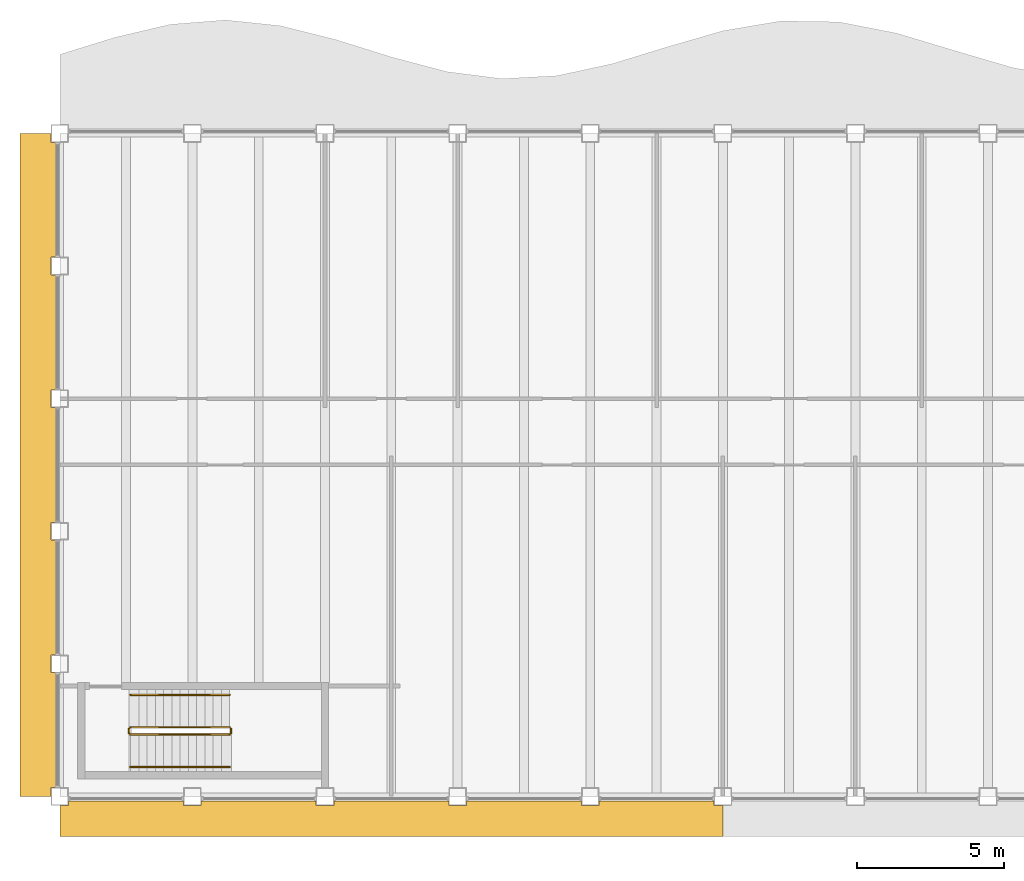
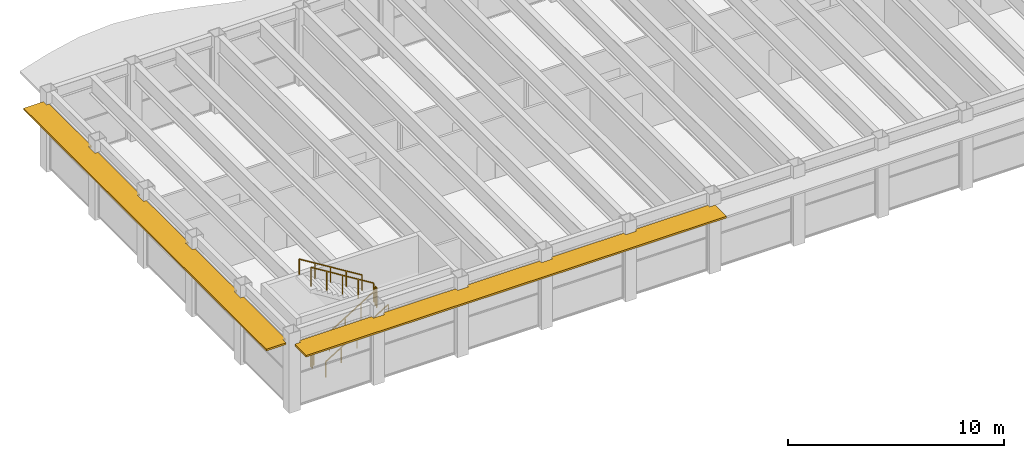
# One storey, part 13 of 15: 6 railings, 2 shading devices.
"""IFC4 building model written with IfcOpenShell, lengths in metres."""

from ifc_helpers import new_model, si_unit, direction, frame, origin, origin_2d, place, context, subcontext, project, spatial, polyline, rectangle, outline, extrude, material, layer, layer_set, type_object, element, save


model = new_model("IFC4")

# Units and contexts
model_context = context("Model", 3, precision=1e-05, world=origin(), true_north=direction((0.0, 1.0)))
body_context = subcontext(model_context, "Body", "Model", "MODEL_VIEW")
ifc_project = project(units=[si_unit("LENGTHUNIT", "METRE"), si_unit("AREAUNIT", "SQUARE_METRE"), si_unit("VOLUMEUNIT", "CUBIC_METRE"), si_unit("PLANEANGLEUNIT", "RADIAN"), si_unit("MASSUNIT", "GRAM", prefix="KILO")], contexts=[model_context])

# Site, building, storey
site_placement = place(None, origin())
site = spatial("IfcSite", under=ifc_project, at=site_placement, CompositionType="ELEMENT")
building_placement = place(site_placement, origin())
building = spatial("IfcBuilding", under=site, at=building_placement, Name="Sennacour Bend Tower", CompositionType="ELEMENT")
storey_placement = place(building_placement, frame((0.0, 0.0, 323.0)))
storey = spatial("IfcBuildingStorey", under=building, at=storey_placement, Name="L74", CompositionType="ELEMENT", Elevation=323.0)

# Railings
ifc_material_1 = material(Name="Stainless steel", Category="steel")
railing_type_1 = type_object("IfcRailingType", Name="RL-GUARD-1100", PredefinedType="GUARDRAIL", material=ifc_material_1)
railing_1_placement = place(storey_placement, frame((2.39990234375, 2.10009765625, 0.173095703125)))
element("IfcRailing", 1, at=railing_1_placement, inside=storey, type_object=railing_type_1, Name="L74 SK1 stair guard 1", PredefinedType="GUARDRAIL", context=body_context, shape_type="SweptSolid", body=[
    extrude(rectangle(XDim=0.048095703125, YDim=0.048095703125, at=origin_2d()), frame((0.0, 0.0, 1.076171875), z_axis=(0.850623216509, 0.0, 0.525775754039), x_axis=(0.0, 1.0, 0.0)), (0.0, 0.0, 1.0), 3.9501953125),
    extrude(rectangle(XDim=0.0419921875, YDim=0.0419921875, at=origin_2d()), origin(), (0.0, 0.0, 1.0), 1.052001953125),
    extrude(rectangle(XDim=0.0419921875, YDim=0.0419921875, at=origin_2d()), frame((0.840087890625, 0.0, 0.519287109375)), (0.0, 0.0, 1.0), 1.052001953125),
    extrude(rectangle(XDim=0.0419921875, YDim=0.0419921875, at=origin_2d()), frame((1.68017578125, 0.0, 1.03857421875)), (0.0, 0.0, 1.0), 1.052001953125),
    extrude(rectangle(XDim=0.0419921875, YDim=0.0419921875, at=origin_2d()), frame((2.52001953125, 0.0, 1.5576171875)), (0.0, 0.0, 1.0), 1.052001953125),
    extrude(rectangle(XDim=0.0419921875, YDim=0.0419921875, at=origin_2d()), frame((3.360107421875, 0.0, 2.076904296875)), (0.0, 0.0, 1.0), 1.052001953125),
])
railing_2_placement = place(storey_placement, frame((5.81005859375, 2.14990234375, 2.25)))
element("IfcRailing", 2, at=railing_2_placement, inside=storey, type_object=railing_type_1, Name="L74 SK1 stair guard 2", PredefinedType="GUARDRAIL", context=body_context, shape_type="SweptSolid", body=[
    extrude(rectangle(XDim=0.048095703125, YDim=0.048095703125, at=origin_2d()), frame((0.0, 0.0, 1.076171875), z_axis=(0.0, 1.0, 0.0), x_axis=(-1.0, 0.0, 0.0)), (0.0, 0.0, 1.0), 0.150146484375),
    extrude(rectangle(XDim=0.0419921875, YDim=0.0419921875, at=origin_2d()), origin(), (0.0, 0.0, 1.0), 1.052001953125),
    extrude(rectangle(XDim=0.0419921875, YDim=0.0419921875, at=origin_2d()), frame((0.0, 0.150146484375, 0.0)), (0.0, 0.0, 1.0), 1.052001953125),
])
railing_3_placement = place(storey_placement, frame((5.760009765625, 2.35009765625, 2.423095703125)))
element("IfcRailing", 3, at=railing_3_placement, inside=storey, type_object=railing_type_1, Name="L74 SK1 stair guard 3", PredefinedType="GUARDRAIL", context=body_context, shape_type="SweptSolid", body=[
    extrude(rectangle(XDim=0.048095703125, YDim=0.048095703125, at=origin_2d()), frame((0.0, 0.0, 1.076171875), z_axis=(-0.850623216509, 0.0, 0.525775754039), x_axis=(0.0, -1.0, 0.0)), (0.0, 0.0, 1.0), 3.9501953125),
    extrude(rectangle(XDim=0.0419921875, YDim=0.0419921875, at=origin_2d()), origin(), (0.0, 0.0, 1.0), 1.052001953125),
    extrude(rectangle(XDim=0.0419921875, YDim=0.0419921875, at=origin_2d()), frame((-0.840087890625, 0.0, 0.519287109375)), (0.0, 0.0, 1.0), 1.052001953125),
    extrude(rectangle(XDim=0.0419921875, YDim=0.0419921875, at=origin_2d()), frame((-1.68017578125, 0.0, 1.03857421875)), (0.0, 0.0, 1.0), 1.052001953125),
    extrude(rectangle(XDim=0.0419921875, YDim=0.0419921875, at=origin_2d()), frame((-2.52001953125, 0.0, 1.5576171875)), (0.0, 0.0, 1.0), 1.052001953125),
    extrude(rectangle(XDim=0.0419921875, YDim=0.0419921875, at=origin_2d()), frame((-3.360107421875, 0.0, 2.076904296875)), (0.0, 0.0, 1.0), 1.052001953125),
])
railing_4_placement = place(storey_placement, frame((2.35009765625, 2.14990234375, 0.0)))
element("IfcRailing", 4, at=railing_4_placement, inside=storey, type_object=railing_type_1, Name="L74 SK1 stair guard 4", PredefinedType="GUARDRAIL", context=body_context, shape_type="SweptSolid", body=[
    extrude(rectangle(XDim=0.048095703125, YDim=0.048095703125, at=origin_2d()), frame((0.0, 0.0, 1.076171875), z_axis=(0.0, 1.0, 0.0), x_axis=(-1.0, 0.0, 0.0)), (0.0, 0.0, 1.0), 0.150146484375),
    extrude(rectangle(XDim=0.0419921875, YDim=0.0419921875, at=origin_2d()), origin(), (0.0, 0.0, 1.0), 1.052001953125),
    extrude(rectangle(XDim=0.0419921875, YDim=0.0419921875, at=origin_2d()), frame((0.0, 0.150146484375, 0.0)), (0.0, 0.0, 1.0), 1.052001953125),
])
railing_type_2 = type_object("IfcRailingType", Name="RL-HANDRAIL-900", PredefinedType="HANDRAIL", material=ifc_material_1)
railing_5_placement = place(storey_placement, frame((2.39990234375, 1.0, 0.173095703125)))
element("IfcRailing", 5, at=railing_5_placement, inside=storey, type_object=railing_type_2, Name="L74 SK1 stair handrail 1", PredefinedType="HANDRAIL", context=body_context, shape_type="SweptSolid", body=[
    extrude(rectangle(XDim=0.048095703125, YDim=0.048095703125, at=origin_2d()), frame((0.0, 0.0, 0.8759765625), z_axis=(0.850623216509, 0.0, 0.525775754039), x_axis=(0.0, 1.0, 0.0)), (0.0, 0.0, 1.0), 3.9501953125),
    extrude(rectangle(XDim=0.0419921875, YDim=0.0419921875, at=origin_2d()), origin(), (0.0, 0.0, 1.0), 0.851806640625),
    extrude(rectangle(XDim=0.0419921875, YDim=0.0419921875, at=origin_2d()), frame((0.840087890625, 0.0, 0.519287109375)), (0.0, 0.0, 1.0), 0.851806640625),
    extrude(rectangle(XDim=0.0419921875, YDim=0.0419921875, at=origin_2d()), frame((1.68017578125, 0.0, 1.03857421875)), (0.0, 0.0, 1.0), 0.851806640625),
    extrude(rectangle(XDim=0.0419921875, YDim=0.0419921875, at=origin_2d()), frame((2.52001953125, 0.0, 1.5576171875)), (0.0, 0.0, 1.0), 0.851806640625),
    extrude(rectangle(XDim=0.0419921875, YDim=0.0419921875, at=origin_2d()), frame((3.360107421875, 0.0, 2.076904296875)), (0.0, 0.0, 1.0), 0.851806640625),
])
railing_6_placement = place(storey_placement, frame((5.760009765625, 3.449951171875, 2.423095703125)))
element("IfcRailing", 6, at=railing_6_placement, inside=storey, type_object=railing_type_2, Name="L74 SK1 stair handrail 2", PredefinedType="HANDRAIL", context=body_context, shape_type="SweptSolid", body=[
    extrude(rectangle(XDim=0.048095703125, YDim=0.048095703125, at=origin_2d()), frame((0.0, 0.0, 0.8759765625), z_axis=(-0.850623216509, 0.0, 0.525775754039), x_axis=(0.0, -1.0, 0.0)), (0.0, 0.0, 1.0), 3.9501953125),
    extrude(rectangle(XDim=0.0419921875, YDim=0.0419921875, at=origin_2d()), origin(), (0.0, 0.0, 1.0), 0.851806640625),
    extrude(rectangle(XDim=0.0419921875, YDim=0.0419921875, at=origin_2d()), frame((-0.840087890625, 0.0, 0.519287109375)), (0.0, 0.0, 1.0), 0.851806640625),
    extrude(rectangle(XDim=0.0419921875, YDim=0.0419921875, at=origin_2d()), frame((-1.68017578125, 0.0, 1.03857421875)), (0.0, 0.0, 1.0), 0.851806640625),
    extrude(rectangle(XDim=0.0419921875, YDim=0.0419921875, at=origin_2d()), frame((-2.52001953125, 0.0, 1.5576171875)), (0.0, 0.0, 1.0), 0.851806640625),
    extrude(rectangle(XDim=0.0419921875, YDim=0.0419921875, at=origin_2d()), frame((-3.360107421875, 0.0, 2.076904296875)), (0.0, 0.0, 1.0), 0.851806640625),
])

# Shading devices
ifc_material_2 = material(Name="Bronze anodised aluminium", Category="aluminium")
ifc_layer = layer(ifc_material_2, 0.10009765625, Name="Bronze anodised aluminium", Category="aluminium")
ifc_layer_set = layer_set([ifc_layer], Name="Bronze anodised aluminium")
shading_device_type = type_object("IfcShadingDeviceType", Name="SUNSHADE BAND STRAIGHT", PredefinedType="USERDEFINED", material=ifc_layer_set)
shading_device_1_placement = place(storey_placement, frame((0.0, 0.0, 3.572021484375)))
element("IfcShadingDevice", 7, at=shading_device_1_placement, inside=storey, type_object=shading_device_type, Name="Sunshade band L74 K outer face", ObjectType="SUNSHADE", PredefinedType="USERDEFINED", context=body_context, shape_type="SweptSolid", body=[
    extrude(outline(polyline([(4.199951171875, -0.14990234375), (4.199951171875, -0.300048828125), (4.800048828125, -0.300048828125), (4.800048828125, -0.14990234375), (8.699951171875, -0.14990234375), (8.699951171875, -0.300048828125), (9.300048828125, -0.300048828125), (9.300048828125, -0.14990234375), (13.199951171875, -0.14990234375), (13.199951171875, -0.300048828125), (13.800048828125, -0.300048828125), (13.800048828125, -0.14990234375), (17.699951171875, -0.14990234375), (17.699951171875, -0.300048828125), (18.300048828125, -0.300048828125), (18.300048828125, -0.14990234375), (22.199951171875, -0.14990234375), (22.199951171875, -0.300048828125), (22.5, -0.300048828125), (22.5, -1.35009765625), (0.0, -1.35009765625), (0.0, -0.300048828125), (0.300048828125, -0.300048828125), (0.300048828125, -0.14990234375), (4.199951171875, -0.14990234375)])), origin(), (0.0, 0.0, 1.0), 0.10009765625),
])
shading_device_2_placement = place(storey_placement, frame((0.0, 0.0, 3.572021484375)))
element("IfcShadingDevice", 8, at=shading_device_2_placement, inside=storey, type_object=shading_device_type, Name="Sunshade band L74 K outer face", ObjectType="SUNSHADE", PredefinedType="USERDEFINED", context=body_context, shape_type="SweptSolid", body=[
    extrude(outline(polyline([(-0.14990234375, 18.300048828125), (-0.300048828125, 18.300048828125), (-0.300048828125, 17.699951171875), (-0.14990234375, 17.699951171875), (-0.14990234375, 13.800048828125), (-0.300048828125, 13.800048828125), (-0.300048828125, 13.199951171875), (-0.14990234375, 13.199951171875), (-0.14990234375, 9.300048828125), (-0.300048828125, 9.300048828125), (-0.300048828125, 8.699951171875), (-0.14990234375, 8.699951171875), (-0.14990234375, 4.800048828125), (-0.300048828125, 4.800048828125), (-0.300048828125, 4.199951171875), (-0.14990234375, 4.199951171875), (-0.14990234375, 0.300048828125), (-0.300048828125, 0.300048828125), (-0.300048828125, 0.0), (-1.35009765625, 0.0), (-1.35009765625, 22.5), (-0.300048828125, 22.5), (-0.300048828125, 22.199951171875), (-0.14990234375, 22.199951171875), (-0.14990234375, 18.300048828125)])), origin(), (0.0, 0.0, 1.0), 0.10009765625),
])

save(model, "model.ifc")
